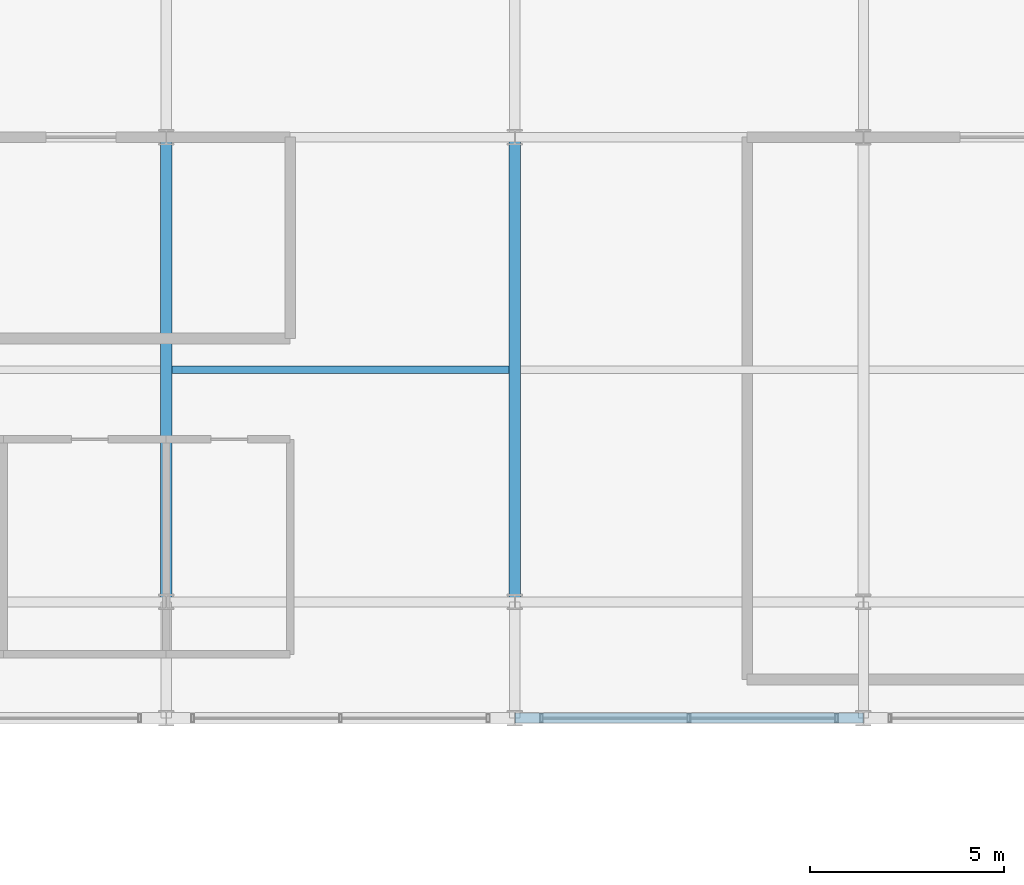
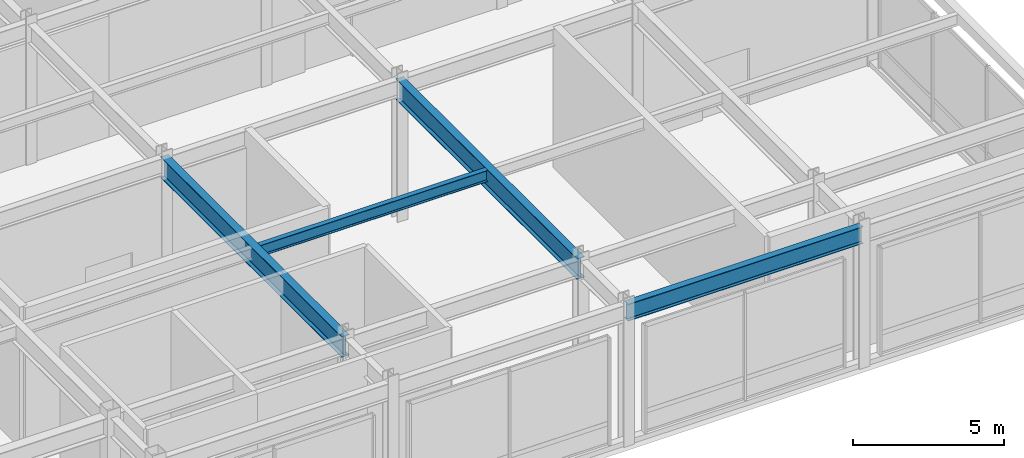
# One storey, part 58 of 105: 4 beams.
"""IFC4 building model written with IfcOpenShell, lengths in metres."""

from ifc_helpers import new_model, si_unit, direction, frame, origin, origin_2d, place, context, subcontext, project, spatial, i_section, extrude, material, material_profile, profile_set, type_object, element, save


model = new_model("IFC4")

# Units and contexts
model_context = context("Model", 3, precision=1e-05, world=origin(), true_north=direction((0.0, 1.0)))
body_context = subcontext(model_context, "Body", "Model", "MODEL_VIEW")
ifc_project = project(units=[si_unit("LENGTHUNIT", "METRE"), si_unit("AREAUNIT", "SQUARE_METRE"), si_unit("VOLUMEUNIT", "CUBIC_METRE"), si_unit("PLANEANGLEUNIT", "RADIAN"), si_unit("MASSUNIT", "GRAM", prefix="KILO")], contexts=[model_context])

# Site, building, storey
site_placement = place(None, origin())
site = spatial("IfcSite", under=ifc_project, at=site_placement, CompositionType="ELEMENT")
building_placement = place(site_placement, origin())
building = spatial("IfcBuilding", under=site, at=building_placement, Name="Kaldorvane Square Convention Centre", CompositionType="ELEMENT")
storey_placement = place(building_placement, frame((0.0, 0.0, 6.0)))
storey = spatial("IfcBuildingStorey", under=building, at=storey_placement, Name="L01", CompositionType="ELEMENT", Elevation=6.0)

# Beams
ifc_material = material(Name="Steel ASTM A992 Gr. 50", Category="steel")
ifc_material_profile_1 = material_profile(ifc_material, i_section(OverallWidth=0.25439453125, OverallDepth=0.6880950927734375, WebThickness=0.0131072998046875, FlangeThickness=0.0211029052734375, FilletRadius=0.01519775390625, at=origin_2d()), Name="W27X102")
ifc_profile_set_1 = profile_set([ifc_material_profile_1], Name="Steel ASTM A992 Gr. 50")
beam_type_1 = type_object("IfcBeamType", Name="BM-GR-W27X102", PredefinedType="BEAM", material=ifc_profile_set_1)
beam_1_placement = place(storey_placement, frame((156.0, 81.0, 5.332000732421875), z_axis=(1.0, 0.0, 0.0), x_axis=(0.0, 1.0, 0.0)))
element("IfcBeam", 1, at=beam_1_placement, inside=storey, type_object=beam_type_1, Name="Primary Girder (L01)", PredefinedType="BEAM", context=body_context, shape_type="SweptSolid", body=[
    extrude(i_section(OverallWidth=0.25439453125, OverallDepth=0.6880950927734375, WebThickness=0.0131072998046875, FlangeThickness=0.0211029052734375, FilletRadius=0.01519775390625, at=origin_2d()), origin(), (0.0, 0.0, 1.0), 9.0),
])
ifc_material_profile_2 = material_profile(ifc_material, i_section(OverallWidth=0.292999267578125, OverallDepth=0.845794677734375, WebThickness=0.0153961181640625, FlangeThickness=0.0243988037109375, FilletRadius=0.0178070068359375, at=origin_2d()), Name="W33X141")
ifc_profile_set_2 = profile_set([ifc_material_profile_2], Name="Steel ASTM A992 Gr. 50")
beam_type_2 = type_object("IfcBeamType", Name="BM-GR-W33X141", PredefinedType="BEAM", material=ifc_profile_set_2)
for number, where, z_axis, x_axis, name in (
    (2, (147.0, 84.0, 5.2530975341796875), (0.0, 1.0, 0.0), (-1.0, 0.0, 0.0), "Transverse Girder (L01)"),
    (3, (156.0, 84.0, 5.2530975341796875), (0.0, 1.0, 0.0), (-1.0, 0.0, 0.0), "Transverse Girder (L01)"),
):
    element("IfcBeam", number, at=place(storey_placement, frame(where, z_axis=z_axis, x_axis=x_axis)), inside=storey, type_object=beam_type_2, Name=name, PredefinedType="BEAM", context=body_context, shape_type="SweptSolid", body=[
        extrude(i_section(OverallWidth=0.292999267578125, OverallDepth=0.845794677734375, WebThickness=0.0153961181640625, FlangeThickness=0.0243988037109375, FilletRadius=0.0178070068359375, at=origin_2d()), origin(), (0.0, 0.0, 1.0), 12.0),
    ])
ifc_material_profile_3 = material_profile(ifc_material, i_section(OverallWidth=0.1912994384765625, OverallDepth=0.4600067138671875, WebThickness=0.0099029541015625, FlangeThickness=0.0160064697265625, FilletRadius=0.01019287109375, at=origin_2d()), Name="W18X55")
ifc_profile_set_3 = profile_set([ifc_material_profile_3], Name="Steel ASTM A992 Gr. 50")
beam_type_3 = type_object("IfcBeamType", Name="BM-JS-W18X55", PredefinedType="JOIST", material=ifc_profile_set_3)
beam_2_placement = place(storey_placement, frame((147.14649963378906, 90.0, 5.4459991455078125), z_axis=(1.0, 0.0, 0.0), x_axis=(0.0, 1.0, 0.0)))
element("IfcBeam", 4, at=beam_2_placement, inside=storey, type_object=beam_type_3, Name="Secondary Floor Joist (L01)", PredefinedType="JOIST", context=body_context, shape_type="SweptSolid", body=[
    extrude(i_section(OverallWidth=0.1912994384765625, OverallDepth=0.4600067138671875, WebThickness=0.0099029541015625, FlangeThickness=0.0160064697265625, FilletRadius=0.01019287109375, at=origin_2d()), origin(), (0.0, 0.0, 1.0), 8.707000732421875),
])

save(model, "model.ifc")
